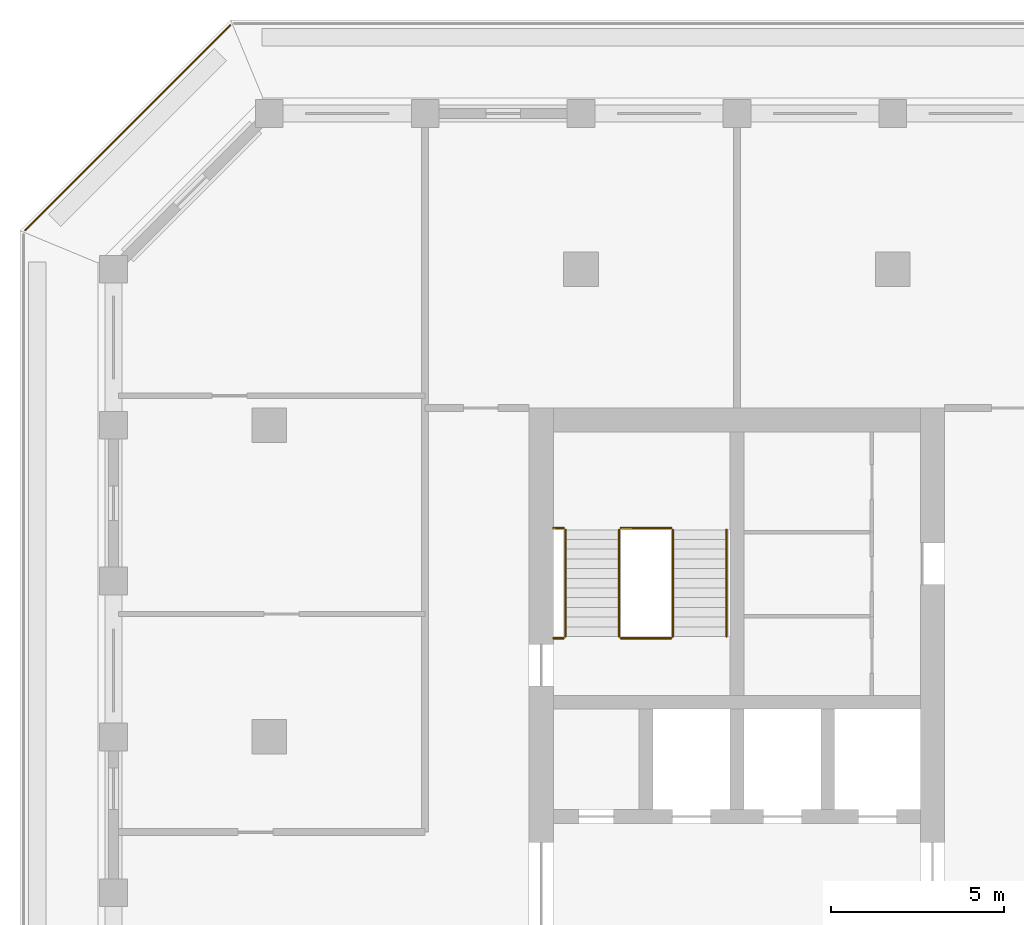
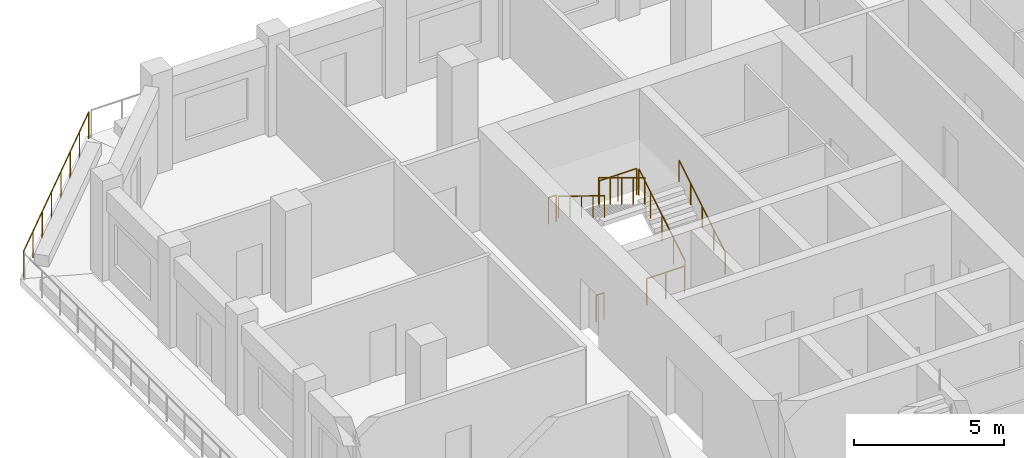
# One storey, part 11 of 14: 9 railings.
"""IFC4 building model written with IfcOpenShell, lengths in metres."""

import ifcopenshell
import ifcopenshell.guid

model = None  # the IFC model being written
_history = None  # IfcOwnerHistory: only IFC2X3 demands one
_inside = {}  # id of a spatial element -> (the spatial element, [elements in it])
_under = {}  # id of a project, library or spatial element -> (it, [spatial elements below it])
_declared = {}  # id of a project -> (the project, [libraries it declares])
_typed = {}  # id of a type object -> (the type object, [elements of that type])
_made_of = {}  # id of a material, layer set ... -> (it, [elements and type objects made of it])


def new_model(schema):
    """Start an empty IFC model of exactly this schema.

    Asked for "IFC4X3", IfcOpenShell would pick the latest addendum, in which some entities
    have other attributes; the version numbers below select the first issue.
    IFC2X3 requires an IfcOwnerHistory on every rooted entity: one is made here for all.
    """
    global model, _history
    if schema == "IFC4X3":
        model = ifcopenshell.file(schema_version=(4, 3, 0, 0))
    else:
        model = ifcopenshell.file(schema=schema)
    _inside.clear()
    _under.clear()
    _declared.clear()
    _typed.clear()
    _made_of.clear()
    _history = None
    if model.schema == "IFC2X3":
        org = make("IfcOrganization", Name="unknown")
        user = make(
            "IfcPersonAndOrganization",
            ThePerson=make("IfcPerson", FamilyName="unknown"),
            TheOrganization=org,
        )
        app = make(
            "IfcApplication",
            ApplicationDeveloper=org,
            Version="unknown",
            ApplicationFullName="unknown",
            ApplicationIdentifier="unknown",
        )
        _history = make(
            "IfcOwnerHistory",
            OwningUser=user,
            OwningApplication=app,
            ChangeAction="ADDED",
            CreationDate=0,
        )
    return model


def make(cls, **values):
    """One entity of the class cls with the attributes given. An attribute that is None is left unset."""
    return model.create_entity(
        cls, **{name: value for name, value in values.items() if value is not None}
    )


def rooted(cls, **values):
    """An entity with a GlobalId (a new one), such as an element, a storey or a relation."""
    return make(cls, GlobalId=ifcopenshell.guid.new(), OwnerHistory=_history, **values)


def si_unit(unit_type, name, prefix=None):
    """IfcSIUnit, for example si_unit("LENGTHUNIT", "METRE", prefix="MILLI")."""
    return make("IfcSIUnit", UnitType=unit_type, Prefix=prefix, Name=name)


def assignment(units):
    """IfcUnitAssignment: the units of a project."""
    return None if units is None else make("IfcUnitAssignment", Units=units)


def point(xyz):
    """IfcCartesianPoint."""
    return None if xyz is None else make("IfcCartesianPoint", Coordinates=xyz)


def direction(xyz):
    """IfcDirection."""
    return None if xyz is None else make("IfcDirection", DirectionRatios=xyz)


def frame(location, z_axis=None, x_axis=None):
    """IfcAxis2Placement3D, a coordinate frame: its origin and axes. An axis left out is left unset."""
    return make(
        "IfcAxis2Placement3D",
        Location=point(location),
        Axis=direction(z_axis),
        RefDirection=direction(x_axis),
    )


def frame_2d(location, x_axis=None):
    """IfcAxis2Placement2D, a coordinate frame in the plane: its origin and x axis."""
    return make(
        "IfcAxis2Placement2D", Location=point(location), RefDirection=direction(x_axis)
    )


def origin():
    """The frame at (0, 0, 0) with its axes left unset."""
    return frame((0.0, 0.0, 0.0))


def origin_2d():
    """The frame at (0, 0) in the plane with its x axis left unset."""
    return frame_2d((0.0, 0.0))


def place(relative_to, where):
    """IfcLocalPlacement: puts the frame where relative to a parent placement (None: the world)."""
    return make(
        "IfcLocalPlacement", PlacementRelTo=relative_to, RelativePlacement=where
    )


def context(
    kind, dimensions, precision=None, world=None, true_north=None, identifier=None
):
    """IfcGeometricRepresentationContext, for example the 3D "Model" context."""
    return make(
        "IfcGeometricRepresentationContext",
        ContextIdentifier=identifier,
        ContextType=kind,
        CoordinateSpaceDimension=dimensions,
        Precision=precision,
        WorldCoordinateSystem=world,
        TrueNorth=true_north,
    )


def subcontext(parent, identifier, kind, view, scale=None):
    """IfcGeometricRepresentationSubContext, for example "Body" below "Model"."""
    return make(
        "IfcGeometricRepresentationSubContext",
        ContextIdentifier=identifier,
        ContextType=kind,
        ParentContext=parent,
        TargetScale=scale,
        TargetView=view,
    )


def project(units=None, contexts=None):
    """IfcProject with its units and contexts."""
    return rooted(
        "IfcProject",
        Name="project",
        RepresentationContexts=contexts,
        UnitsInContext=assignment(units),
    )


def spatial(cls, under=None, at=None, **own):
    """A site, building, storey or space (cls), placed at a placement, below another one or the project."""
    s = rooted(cls, ObjectPlacement=at, **own)
    if under is not None:
        _under.setdefault(under.id(), (under, []))[1].append(s)
    return s


def profile(cls, at=None, kind="AREA", **sizes):
    """A parametric profile (cls). Its sizes go by their IFC names, for example OverallWidth=200.0."""
    return make(cls, ProfileType=kind, Position=at, **sizes)


def circle(**sizes):
    """IfcCircleProfileDef."""
    return profile("IfcCircleProfileDef", **sizes)


def extrude(swept, where, along, depth):
    """IfcExtrudedAreaSolid: the profile swept, set in the frame where, extruded along a direction by depth."""
    return make(
        "IfcExtrudedAreaSolid",
        SweptArea=swept,
        Position=where,
        ExtrudedDirection=direction(along),
        Depth=depth,
    )


def shape(context_of_items, identifier, shape_type, items):
    """IfcShapeRepresentation: the items that make up one representation, for example the "Body"."""
    return make(
        "IfcShapeRepresentation",
        ContextOfItems=context_of_items,
        RepresentationIdentifier=identifier,
        RepresentationType=shape_type,
        Items=items,
    )


def material(Name=None, Category=None):
    """IfcMaterial."""
    return make("IfcMaterial", Name=Name, Category=Category)


def made_of(thing, what):
    """Note that an element or type object is made of a material, layer set ...; save() writes the relation."""
    if what is not None:
        _made_of.setdefault(what.id(), (what, []))[1].append(thing)
    return thing


def type_object(cls, material=None, **own):
    """A type object (cls), such as IfcWallType, which elements share."""
    return made_of(rooted(cls, **own), material)


def element(
    cls,
    number,
    at=None,
    inside=None,
    cuts=None,
    type_object=None,
    material=None,
    context=None,
    identifier="Body",
    shape_type=None,
    held_by="IfcProductDefinitionShape",
    body=None,
    shapes=None,
    **own,
):
    """One element of the class cls, such as IfcWall. Its Tag is "e" and its number.

    at: its placement. inside: the storey or other place that contains it. cuts: it is an
    opening in that element (IfcRelVoidsElement). A single representation is given by context,
    identifier, shape_type and body (its items); several are given by shapes. held_by: the class
    of the entity that holds the representations. save() writes the other relations.
    """
    e = rooted(cls, Tag="e%d" % number, ObjectPlacement=at, **own)
    if body is not None:
        shapes = [shape(context, identifier, shape_type, body)]
    if shapes is not None:
        e.Representation = make(held_by, Representations=shapes)
    if inside is not None:
        _inside.setdefault(inside.id(), (inside, []))[1].append(e)
    if cuts is not None:
        rooted(
            "IfcRelVoidsElement", RelatingBuildingElement=cuts, RelatedOpeningElement=e
        )
    if type_object is not None:
        _typed.setdefault(type_object.id(), (type_object, []))[1].append(e)
    return made_of(e, material)


def aggregate(whole, parts):
    """IfcRelAggregates: a whole, such as a stair, and the parts it consists of."""
    return rooted("IfcRelAggregates", RelatingObject=whole, RelatedObjects=parts)


def save(model, path):
    """Write the relations noted so far, then the file.

    IfcRelAggregates (storeys below a building ...), IfcRelContainedInSpatialStructure (elements
    in a storey), IfcRelDefinesByType, IfcRelAssociatesMaterial and IfcRelDeclares: one each for
    every whole, place, type object, material and project.
    """
    for whole, parts in _under.values():
        aggregate(whole, parts)
    for where, things in _inside.values():
        rooted(
            "IfcRelContainedInSpatialStructure",
            RelatedElements=things,
            RelatingStructure=where,
        )
    for kind, things in _typed.values():
        rooted("IfcRelDefinesByType", RelatedObjects=things, RelatingType=kind)
    for what, things in _made_of.values():
        rooted("IfcRelAssociatesMaterial", RelatedObjects=things, RelatingMaterial=what)
    for by, libraries in _declared.values():
        rooted("IfcRelDeclares", RelatingContext=by, RelatedDefinitions=libraries)
    model.write(path)


model = new_model("IFC4")

# Units and contexts
model_context = context("Model", 3, precision=1e-05, world=origin(), true_north=direction((0.0, 1.0)))
body_context = subcontext(model_context, "Body", "Model", "MODEL_VIEW")
ifc_project = project(units=[si_unit("LENGTHUNIT", "METRE"), si_unit("AREAUNIT", "SQUARE_METRE"), si_unit("VOLUMEUNIT", "CUBIC_METRE"), si_unit("PLANEANGLEUNIT", "RADIAN"), si_unit("MASSUNIT", "GRAM", prefix="KILO")], contexts=[model_context])

# Site, building, storey
site_placement = place(None, origin())
site = spatial("IfcSite", under=ifc_project, at=site_placement, CompositionType="ELEMENT")
building_placement = place(site_placement, origin())
building = spatial("IfcBuilding", under=site, at=building_placement, Name="Corbel Stack Research Tower", CompositionType="ELEMENT")
storey_placement = place(building_placement, frame((0.0, 0.0, 286.800048828125)))
storey = spatial("IfcBuildingStorey", under=building, at=storey_placement, Name="L65", CompositionType="ELEMENT", Elevation=286.800048828125)

# Railings
ifc_material_1 = material(Name="Steel S355", Category="steel")
railing_type_1 = type_object("IfcRailingType", Name="Stair guard 1100", PredefinedType="GUARDRAIL", material=ifc_material_1)
railing_1_placement = place(storey_placement, frame((-6.35009765625, 11.89990234375, 0.1708984375)))
element("IfcRailing", 1, at=railing_1_placement, inside=storey, type_object=railing_type_1, Name="L65 ST-W2 stair guard 1", PredefinedType="GUARDRAIL", context=body_context, shape_type="SweptSolid", body=[
    extrude(circle(Radius=0.02392578125, at=origin_2d()), frame((0.0, 0.0, 1.076171875), z_axis=(0.0, 0.853666305674, 0.52082035152), x_axis=(-1.0, 0.0, 0.0)), (0.0, 0.0, 1.0), 3.608154296875),
    extrude(circle(Radius=0.02099609375, at=origin_2d()), origin(), (0.0, 0.0, 1.0), 1.052001953125),
    extrude(circle(Radius=0.02099609375, at=origin_2d()), frame((0.0, 0.77001953125, 0.4697265625)), (0.0, 0.0, 1.0), 1.052001953125),
    extrude(circle(Radius=0.02099609375, at=origin_2d()), frame((0.0, 1.5400390625, 0.939453125)), (0.0, 0.0, 1.0), 1.052001953125),
    extrude(circle(Radius=0.02099609375, at=origin_2d()), frame((0.0, 2.31005859375, 1.409423828125)), (0.0, 0.0, 1.0), 1.052001953125),
    extrude(circle(Radius=0.02099609375, at=origin_2d()), frame((0.0, 3.080078125, 1.879150390625)), (0.0, 0.0, 1.0), 1.052001953125),
])
railing_2_placement = place(storey_placement, frame((-6.39990234375, 15.030029296875, 2.050048828125)))
element("IfcRailing", 2, at=railing_2_placement, inside=storey, type_object=railing_type_1, Name="L65 ST-W2 stair guard 2", PredefinedType="GUARDRAIL", context=body_context, shape_type="SweptSolid", body=[
    extrude(circle(Radius=0.02392578125, at=origin_2d()), frame((0.0, 0.0, 1.076171875), z_axis=(-1.0, 0.0, 0.0), x_axis=(0.0, -1.0, 0.0)), (0.0, 0.0, 1.0), 1.4501953125),
    extrude(circle(Radius=0.02099609375, at=origin_2d()), origin(), (0.0, 0.0, 1.0), 1.052001953125),
    extrude(circle(Radius=0.02099609375, at=origin_2d()), frame((-0.72509765625, 0.0, 0.0)), (0.0, 0.0, 1.0), 1.052001953125),
    extrude(circle(Radius=0.02099609375, at=origin_2d()), frame((-1.4501953125, 0.0, 0.0)), (0.0, 0.0, 1.0), 1.052001953125),
])
railing_3_placement = place(storey_placement, frame((-9.5, 15.030029296875, 2.050048828125)))
element("IfcRailing", 3, at=railing_3_placement, inside=storey, type_object=railing_type_1, Name="L65 ST-W2 stair guard 3", PredefinedType="GUARDRAIL", context=body_context, shape_type="SweptSolid", body=[
    extrude(circle(Radius=0.02392578125, at=origin_2d()), frame((0.0, 0.0, 1.076171875), z_axis=(-1.0, 0.0, 0.0), x_axis=(0.0, -1.0, 0.0)), (0.0, 0.0, 1.0), 0.300048828125),
    extrude(circle(Radius=0.02099609375, at=origin_2d()), origin(), (0.0, 0.0, 1.0), 1.052001953125),
    extrude(circle(Radius=0.02099609375, at=origin_2d()), frame((-0.300048828125, 0.0, 0.0)), (0.0, 0.0, 1.0), 1.052001953125),
])
railing_4_placement = place(storey_placement, frame((-7.89990234375, 14.97998046875, 2.220703125)))
element("IfcRailing", 4, at=railing_4_placement, inside=storey, type_object=railing_type_1, Name="L65 ST-W2 stair guard 4", PredefinedType="GUARDRAIL", context=body_context, shape_type="SweptSolid", body=[
    extrude(circle(Radius=0.02392578125, at=origin_2d()), frame((0.0, 0.0, 1.076171875), z_axis=(0.0, -0.853666305674, 0.52082035152), x_axis=(1.0, 0.0, 0.0)), (0.0, 0.0, 1.0), 3.608154296875),
    extrude(circle(Radius=0.02099609375, at=origin_2d()), origin(), (0.0, 0.0, 1.0), 1.052001953125),
    extrude(circle(Radius=0.02099609375, at=origin_2d()), frame((0.0, -0.77001953125, 0.4697265625)), (0.0, 0.0, 1.0), 1.052001953125),
    extrude(circle(Radius=0.02099609375, at=origin_2d()), frame((0.0, -1.5400390625, 0.939453125)), (0.0, 0.0, 1.0), 1.052001953125),
    extrude(circle(Radius=0.02099609375, at=origin_2d()), frame((0.0, -2.31005859375, 1.409423828125)), (0.0, 0.0, 1.0), 1.052001953125),
    extrude(circle(Radius=0.02099609375, at=origin_2d()), frame((0.0, -3.080078125, 1.879150390625)), (0.0, 0.0, 1.0), 1.052001953125),
])
railing_5_placement = place(storey_placement, frame((-6.39990234375, 11.85009765625, 0.0)))
element("IfcRailing", 5, at=railing_5_placement, inside=storey, type_object=railing_type_1, Name="L65 ST-W2 stair guard 5", PredefinedType="GUARDRAIL", context=body_context, shape_type="SweptSolid", body=[
    extrude(circle(Radius=0.02392578125, at=origin_2d()), frame((0.0, 0.0, 1.076171875), z_axis=(-1.0, 0.0, 0.0), x_axis=(0.0, -1.0, 0.0)), (0.0, 0.0, 1.0), 1.4501953125),
    extrude(circle(Radius=0.02099609375, at=origin_2d()), origin(), (0.0, 0.0, 1.0), 1.052001953125),
    extrude(circle(Radius=0.02099609375, at=origin_2d()), frame((-0.72509765625, 0.0, 0.0)), (0.0, 0.0, 1.0), 1.052001953125),
    extrude(circle(Radius=0.02099609375, at=origin_2d()), frame((-1.4501953125, 0.0, 0.0)), (0.0, 0.0, 1.0), 1.052001953125),
])
railing_6_placement = place(storey_placement, frame((-9.5, 11.85009765625, 0.0)))
element("IfcRailing", 6, at=railing_6_placement, inside=storey, type_object=railing_type_1, Name="L65 ST-W2 stair guard 6", PredefinedType="GUARDRAIL", context=body_context, shape_type="SweptSolid", body=[
    extrude(circle(Radius=0.02392578125, at=origin_2d()), frame((0.0, 0.0, 1.076171875), z_axis=(-1.0, 0.0, 0.0), x_axis=(0.0, -1.0, 0.0)), (0.0, 0.0, 1.0), 0.300048828125),
    extrude(circle(Radius=0.02099609375, at=origin_2d()), origin(), (0.0, 0.0, 1.0), 1.052001953125),
    extrude(circle(Radius=0.02099609375, at=origin_2d()), frame((-0.300048828125, 0.0, 0.0)), (0.0, 0.0, 1.0), 1.052001953125),
])
ifc_material_2 = material(Name="Steel S355", Category="steel")
railing_type_2 = type_object("IfcRailingType", Name="Stair handrail 900", PredefinedType="HANDRAIL", material=ifc_material_2)
railing_7_placement = place(storey_placement, frame((-4.800048828125, 11.89990234375, 0.1708984375)))
element("IfcRailing", 7, at=railing_7_placement, inside=storey, type_object=railing_type_2, Name="L65 ST-W2 stair handrail 1", PredefinedType="HANDRAIL", context=body_context, shape_type="SweptSolid", body=[
    extrude(circle(Radius=0.02392578125, at=origin_2d()), frame((0.0, 0.0, 0.8759765625), z_axis=(0.0, 0.853666305674, 0.52082035152), x_axis=(-1.0, 0.0, 0.0)), (0.0, 0.0, 1.0), 3.608154296875),
    extrude(circle(Radius=0.02099609375, at=origin_2d()), origin(), (0.0, 0.0, 1.0), 0.851806640625),
    extrude(circle(Radius=0.02099609375, at=origin_2d()), frame((0.0, 0.77001953125, 0.4697265625)), (0.0, 0.0, 1.0), 0.851806640625),
    extrude(circle(Radius=0.02099609375, at=origin_2d()), frame((0.0, 1.5400390625, 0.939453125)), (0.0, 0.0, 1.0), 0.851806640625),
    extrude(circle(Radius=0.02099609375, at=origin_2d()), frame((0.0, 2.31005859375, 1.409423828125)), (0.0, 0.0, 1.0), 0.851806640625),
    extrude(circle(Radius=0.02099609375, at=origin_2d()), frame((0.0, 3.080078125, 1.879150390625)), (0.0, 0.0, 1.0), 0.851806640625),
])
railing_8_placement = place(storey_placement, frame((-9.449951171875, 14.97998046875, 2.220703125)))
element("IfcRailing", 8, at=railing_8_placement, inside=storey, type_object=railing_type_2, Name="L65 ST-W2 stair handrail 2", PredefinedType="HANDRAIL", context=body_context, shape_type="SweptSolid", body=[
    extrude(circle(Radius=0.02392578125, at=origin_2d()), frame((0.0, 0.0, 0.8759765625), z_axis=(0.0, -0.853666305674, 0.52082035152), x_axis=(1.0, 0.0, 0.0)), (0.0, 0.0, 1.0), 3.608154296875),
    extrude(circle(Radius=0.02099609375, at=origin_2d()), origin(), (0.0, 0.0, 1.0), 0.851806640625),
    extrude(circle(Radius=0.02099609375, at=origin_2d()), frame((0.0, -0.77001953125, 0.4697265625)), (0.0, 0.0, 1.0), 0.851806640625),
    extrude(circle(Radius=0.02099609375, at=origin_2d()), frame((0.0, -1.5400390625, 0.939453125)), (0.0, 0.0, 1.0), 0.851806640625),
    extrude(circle(Radius=0.02099609375, at=origin_2d()), frame((0.0, -2.31005859375, 1.409423828125)), (0.0, 0.0, 1.0), 0.851806640625),
    extrude(circle(Radius=0.02099609375, at=origin_2d()), frame((0.0, -3.080078125, 1.879150390625)), (0.0, 0.0, 1.0), 0.851806640625),
])
ifc_material_3 = material(Name="Powder-coated steel guard", Category="steel")
railing_type_3 = type_object("IfcRailingType", Name="Steel and glass guard 1100", PredefinedType="GUARDRAIL", material=ifc_material_3)
railing_9_placement = place(storey_placement, frame((-19.127685546875, 29.54931640625, 0.0)))
element("IfcRailing", 9, at=railing_9_placement, inside=storey, type_object=railing_type_3, Name="Loggia guard L65 NW", PredefinedType="GUARDRAIL", context=body_context, shape_type="SweptSolid", body=[
    extrude(circle(Radius=0.02392578125, at=origin_2d()), frame((0.0, 0.0, 1.076171875), z_axis=(-0.707106781187, -0.707106781187, 0.0), x_axis=(0.707106781187, -0.707106781187, 0.0)), (0.0, 0.0, 1.0), 8.37451171875),
    extrude(circle(Radius=0.02099609375, at=origin_2d()), origin(), (0.0, 0.0, 1.0), 1.052001953125),
    extrude(circle(Radius=0.02099609375, at=origin_2d()), frame((-0.845947265625, -0.845947265625, 0.0)), (0.0, 0.0, 1.0), 1.052001953125),
    extrude(circle(Radius=0.02099609375, at=origin_2d()), frame((-1.69189453125, -1.69189453125, 0.0)), (0.0, 0.0, 1.0), 1.052001953125),
    extrude(circle(Radius=0.02099609375, at=origin_2d()), frame((-2.537841796875, -2.537841796875, 0.0)), (0.0, 0.0, 1.0), 1.052001953125),
    extrude(circle(Radius=0.02099609375, at=origin_2d()), frame((-3.3837890625, -3.3837890625, 0.0)), (0.0, 0.0, 1.0), 1.052001953125),
    extrude(circle(Radius=0.02099609375, at=origin_2d()), frame((-4.229736328125, -4.229736328125, 0.0)), (0.0, 0.0, 1.0), 1.052001953125),
    extrude(circle(Radius=0.02099609375, at=origin_2d()), frame((-5.07568359375, -5.07568359375, 0.0)), (0.0, 0.0, 1.0), 1.052001953125),
    extrude(circle(Radius=0.02099609375, at=origin_2d()), frame((-5.921630859375, -5.921630859375, 0.0)), (0.0, 0.0, 1.0), 1.052001953125),
])

save(model, "model.ifc")
